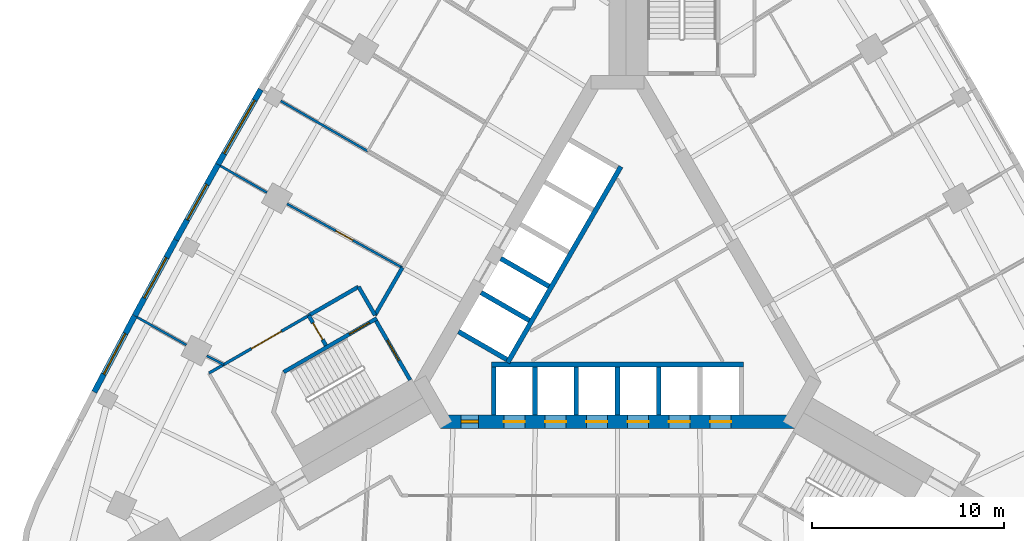
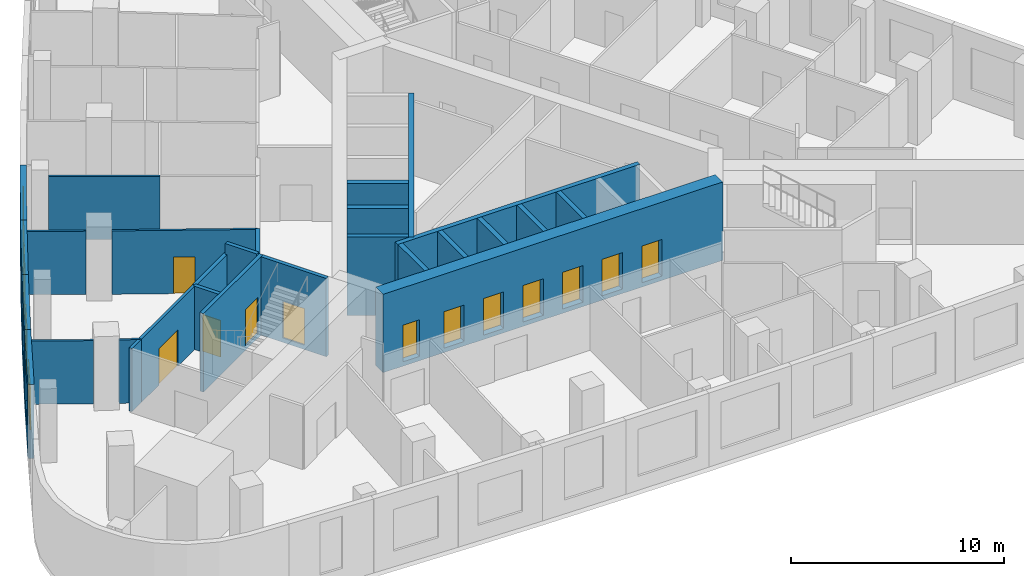
# One storey, part 5 of 11: 28 walls, 12 doors, 4 windows, 16 openings.
"""IFC4 building model written with IfcOpenShell, lengths in metres."""

from ifc_helpers import new_model, si_unit, direction, frame, frame_2d, origin, place, context, subcontext, project, spatial, rectangle, extrude, material, layer, layer_set, type_object, element, fill, save


model = new_model("IFC4")

# Units and contexts
model_context = context("Model", 3, precision=1e-05, world=origin(), true_north=direction((0.0, 1.0)))
body_context = subcontext(model_context, "Body", "Model", "MODEL_VIEW")
ifc_project = project(units=[si_unit("LENGTHUNIT", "METRE"), si_unit("AREAUNIT", "SQUARE_METRE"), si_unit("VOLUMEUNIT", "CUBIC_METRE"), si_unit("PLANEANGLEUNIT", "RADIAN"), si_unit("MASSUNIT", "GRAM", prefix="KILO")], contexts=[model_context])

# Site, building, storey
site_placement = place(None, origin())
site = spatial("IfcSite", under=ifc_project, at=site_placement, CompositionType="ELEMENT")
building_placement = place(site_placement, origin())
building = spatial("IfcBuilding", under=site, at=building_placement, Name="Noor Cloister Tower", CompositionType="ELEMENT")
storey_placement = place(building_placement, frame((0.0, 0.0, 6.0)))
storey = spatial("IfcBuildingStorey", under=building, at=storey_placement, Name="L01", CompositionType="ELEMENT", Elevation=6.0)

# Wall, openings, doors
ifc_material_1 = material(Name="Concrete C80/95", Category="concrete")
ifc_layer_1 = layer(ifc_material_1, 0.699951171875)
ifc_layer_set_1 = layer_set([ifc_layer_1], Name="Core wall 700 C80/95")
wall_type_1 = type_object("IfcWallType", Name="Core wall 700 C80/95", PredefinedType="SHEAR", material=ifc_layer_set_1)
wall_1_placement = place(storey_placement, frame((-9.228759765625, -6.578125, -0.25), z_axis=(0.0, 0.0, 1.0), x_axis=(1.0, 0.0, 0.0)))
wall_1 = element("IfcWall", 1, at=wall_1_placement, inside=storey, type_object=wall_type_1, Name="Core wall L01 1", PredefinedType="SHEAR", context=body_context, shape_type="SweptSolid", body=[
    extrude(rectangle(XDim=18.45751953125, YDim=0.699951171875, at=frame_2d((9.228759765625, 0.0))), origin(), (0.0, 0.0, 1.0), 4.5),
])
opening_1_placement = place(wall_1_placement, frame((3.3037109375, 0.0, 0.25)))
opening_1 = element("IfcOpeningElement", 2, at=opening_1_placement, cuts=wall_1, Name="Opening L01-LR1", PredefinedType="OPENING", context=body_context, shape_type="SweptSolid", body=[
    extrude(rectangle(XDim=1.10009765625, YDim=2.10009765625, at=frame_2d((0.550048828125, 1.050048828125))), frame((0.0, 0.35986328125, 0.0), z_axis=(0.0, -1.0, 0.0), x_axis=(1.0, 0.0, 0.0)), (0.0, 0.0, 1.0), 0.719970703125),
])
opening_2_placement = place(wall_1_placement, frame((5.45361328125, 0.0, 0.25)))
opening_2 = element("IfcOpeningElement", 3, at=opening_2_placement, cuts=wall_1, Name="Opening L01-LR2", PredefinedType="OPENING", context=body_context, shape_type="SweptSolid", body=[
    extrude(rectangle(XDim=1.10009765625, YDim=2.10009765625, at=frame_2d((0.550048828125, 1.050048828125))), frame((0.0, 0.35986328125, 0.0), z_axis=(0.0, -1.0, 0.0), x_axis=(1.0, 0.0, 0.0)), (0.0, 0.0, 1.0), 0.719970703125),
])
opening_3_placement = place(wall_1_placement, frame((7.603759765625, 0.0, 0.25)))
opening_3 = element("IfcOpeningElement", 4, at=opening_3_placement, cuts=wall_1, Name="Opening L01-LR3", PredefinedType="OPENING", context=body_context, shape_type="SweptSolid", body=[
    extrude(rectangle(XDim=1.10009765625, YDim=2.10009765625, at=frame_2d((0.550048828125, 1.050048828125))), frame((0.0, 0.35986328125, 0.0), z_axis=(0.0, -1.0, 0.0), x_axis=(1.0, 0.0, 0.0)), (0.0, 0.0, 1.0), 0.719970703125),
])
opening_4_placement = place(wall_1_placement, frame((9.753662109375, 0.0, 0.25)))
opening_4 = element("IfcOpeningElement", 5, at=opening_4_placement, cuts=wall_1, Name="Opening L01-LR4", PredefinedType="OPENING", context=body_context, shape_type="SweptSolid", body=[
    extrude(rectangle(XDim=1.10009765625, YDim=2.10009765625, at=frame_2d((0.550048828125, 1.050048828125))), frame((0.0, 0.35986328125, 0.0), z_axis=(0.0, -1.0, 0.0), x_axis=(1.0, 0.0, 0.0)), (0.0, 0.0, 1.0), 0.719970703125),
])
opening_5_placement = place(wall_1_placement, frame((11.90380859375, 0.0, 0.25)))
opening_5 = element("IfcOpeningElement", 6, at=opening_5_placement, cuts=wall_1, Name="Opening L01-LR5", PredefinedType="OPENING", context=body_context, shape_type="SweptSolid", body=[
    extrude(rectangle(XDim=1.10009765625, YDim=2.10009765625, at=frame_2d((0.550048828125, 1.050048828125))), frame((0.0, 0.35986328125, 0.0), z_axis=(0.0, -1.0, 0.0), x_axis=(1.0, 0.0, 0.0)), (0.0, 0.0, 1.0), 0.719970703125),
])
opening_6_placement = place(wall_1_placement, frame((14.0537109375, 0.0, 0.25)))
opening_6 = element("IfcOpeningElement", 7, at=opening_6_placement, cuts=wall_1, Name="Opening L01-LR6", PredefinedType="OPENING", context=body_context, shape_type="SweptSolid", body=[
    extrude(rectangle(XDim=1.10009765625, YDim=2.10009765625, at=frame_2d((0.550048828125, 1.050048828125))), frame((0.0, 0.35986328125, 0.0), z_axis=(0.0, -1.0, 0.0), x_axis=(1.0, 0.0, 0.0)), (0.0, 0.0, 1.0), 0.719970703125),
])
opening_7_placement = place(wall_1_placement, frame((1.078857421875, 0.0, 0.25)))
opening_7 = element("IfcOpeningElement", 8, at=opening_7_placement, cuts=wall_1, Name="Opening L01-905", PredefinedType="OPENING", context=body_context, shape_type="SweptSolid", body=[
    extrude(rectangle(XDim=0.89990234375, YDim=2.10009765625, at=frame_2d((0.449951171875, 1.050048828125))), frame((0.0, 0.35986328125, 0.0), z_axis=(0.0, -1.0, 0.0), x_axis=(1.0, 0.0, 0.0)), (0.0, 0.0, 1.0), 0.719970703125),
])
ifc_material_2 = material(Name="Steel", Category="steel")
door_type_1 = type_object("IfcDoorType", Name="Core door 900 x 2100 FD120", OperationType="SINGLE_SWING_LEFT", PredefinedType="DOOR", material=ifc_material_2)
door_1_placement = place(opening_7_placement, origin())
door_1 = element("IfcDoor", 9, at=door_1_placement, inside=storey, type_object=door_type_1, Name="Core door 5 L01", OperationType="SINGLE_SWING_LEFT", OverallHeight=2.10009765625, OverallWidth=0.89990234375, PredefinedType="DOOR", context=body_context, shape_type="SweptSolid", body=[
    extrude(rectangle(XDim=0.89990234375, YDim=2.10009765625, at=frame_2d((0.449951171875, 1.050048828125))), frame((0.0, 0.074951171875, 0.0), z_axis=(0.0, -1.0, 0.0), x_axis=(1.0, 0.0, 0.0)), (0.0, 0.0, 1.0), 0.14990234375),
])
fill(opening_7, door_1)
ifc_material_3 = material(Name="Stainless steel", Category="steel")
door_type_2 = type_object("IfcDoorType", Name="Lift landing door 1100 x 2100", OperationType="DOUBLE_DOOR_SLIDING", PredefinedType="DOOR", material=ifc_material_3)
door_2_placement = place(opening_1_placement, origin())
door_2 = element("IfcDoor", 10, at=door_2_placement, inside=storey, type_object=door_type_2, Name="Landing door LR1 L01", OperationType="DOUBLE_DOOR_SLIDING", OverallHeight=2.10009765625, OverallWidth=1.10009765625, PredefinedType="DOOR", context=body_context, shape_type="SweptSolid", body=[
    extrude(rectangle(XDim=1.10009765625, YDim=2.10009765625, at=frame_2d((0.550048828125, 1.050048828125))), frame((0.0, 0.02490234375, 0.0), z_axis=(0.0, -1.0, 0.0), x_axis=(1.0, 0.0, 0.0)), (0.0, 0.0, 1.0), 0.050048828125),
])
fill(opening_1, door_2)
door_3_placement = place(opening_2_placement, origin())
door_3 = element("IfcDoor", 11, at=door_3_placement, inside=storey, type_object=door_type_2, Name="Landing door LR2 L01", OperationType="DOUBLE_DOOR_SLIDING", OverallHeight=2.10009765625, OverallWidth=1.10009765625, PredefinedType="DOOR", context=body_context, shape_type="SweptSolid", body=[
    extrude(rectangle(XDim=1.10009765625, YDim=2.10009765625, at=frame_2d((0.550048828125, 1.050048828125))), frame((0.0, 0.02490234375, 0.0), z_axis=(0.0, -1.0, 0.0), x_axis=(1.0, 0.0, 0.0)), (0.0, 0.0, 1.0), 0.050048828125),
])
fill(opening_2, door_3)
door_4_placement = place(opening_3_placement, origin())
door_4 = element("IfcDoor", 12, at=door_4_placement, inside=storey, type_object=door_type_2, Name="Landing door LR3 L01", OperationType="DOUBLE_DOOR_SLIDING", OverallHeight=2.10009765625, OverallWidth=1.10009765625, PredefinedType="DOOR", context=body_context, shape_type="SweptSolid", body=[
    extrude(rectangle(XDim=1.10009765625, YDim=2.10009765625, at=frame_2d((0.550048828125, 1.050048828125))), frame((0.0, 0.02490234375, 0.0), z_axis=(0.0, -1.0, 0.0), x_axis=(1.0, 0.0, 0.0)), (0.0, 0.0, 1.0), 0.050048828125),
])
fill(opening_3, door_4)
door_5_placement = place(opening_4_placement, origin())
door_5 = element("IfcDoor", 13, at=door_5_placement, inside=storey, type_object=door_type_2, Name="Landing door LR4 L01", OperationType="DOUBLE_DOOR_SLIDING", OverallHeight=2.10009765625, OverallWidth=1.10009765625, PredefinedType="DOOR", context=body_context, shape_type="SweptSolid", body=[
    extrude(rectangle(XDim=1.10009765625, YDim=2.10009765625, at=frame_2d((0.550048828125, 1.050048828125))), frame((0.0, 0.02490234375, 0.0), z_axis=(0.0, -1.0, 0.0), x_axis=(1.0, 0.0, 0.0)), (0.0, 0.0, 1.0), 0.050048828125),
])
fill(opening_4, door_5)
door_6_placement = place(opening_5_placement, origin())
door_6 = element("IfcDoor", 14, at=door_6_placement, inside=storey, type_object=door_type_2, Name="Landing door LR5 L01", OperationType="DOUBLE_DOOR_SLIDING", OverallHeight=2.10009765625, OverallWidth=1.10009765625, PredefinedType="DOOR", context=body_context, shape_type="SweptSolid", body=[
    extrude(rectangle(XDim=1.10009765625, YDim=2.10009765625, at=frame_2d((0.550048828125, 1.050048828125))), frame((0.0, 0.02490234375, 0.0), z_axis=(0.0, -1.0, 0.0), x_axis=(1.0, 0.0, 0.0)), (0.0, 0.0, 1.0), 0.050048828125),
])
fill(opening_5, door_6)
door_7_placement = place(opening_6_placement, origin())
door_7 = element("IfcDoor", 15, at=door_7_placement, inside=storey, type_object=door_type_2, Name="Landing door LR6 L01", OperationType="DOUBLE_DOOR_SLIDING", OverallHeight=2.10009765625, OverallWidth=1.10009765625, PredefinedType="DOOR", context=body_context, shape_type="SweptSolid", body=[
    extrude(rectangle(XDim=1.10009765625, YDim=2.10009765625, at=frame_2d((0.550048828125, 1.050048828125))), frame((0.0, 0.02490234375, 0.0), z_axis=(0.0, -1.0, 0.0), x_axis=(1.0, 0.0, 0.0)), (0.0, 0.0, 1.0), 0.050048828125),
])
fill(opening_6, door_7)

# Wall
ifc_material_4 = material(Name="Plasterboard on steel studs", Category="steel")
ifc_layer_2 = layer(ifc_material_4, 0.14990234375)
ifc_layer_set_2 = layer_set([ifc_layer_2], Name="Corridor wall 150")
wall_type_2 = type_object("IfcWallType", Name="Corridor wall 150", PredefinedType="PARTITIONING", material=ifc_layer_set_2)
wall_2_placement = place(storey_placement, frame((-21.282958984375, -4.048095703125, 0.0), z_axis=(0.0, 0.0, 1.0), x_axis=(0.865804825377, 0.500381858538, 0.0)))
element("IfcWall", 16, at=wall_2_placement, inside=storey, type_object=wall_type_2, Name="Partition", PredefinedType="PARTITIONING", context=body_context, shape_type="SweptSolid", body=[
    extrude(rectangle(XDim=0.897216796875, YDim=0.14990234375, at=frame_2d((0.44873046875, 0.0))), origin(), (0.0, 0.0, 1.0), 3.637939453125),
])

# Wall, opening, door
wall_3_placement = place(storey_placement, frame((-16.0869140625, -1.049072265625, 0.0), z_axis=(0.0, 0.0, 1.0), x_axis=(-0.866071706002, -0.49991979363, 0.0)))
wall_3 = element("IfcWall", 17, at=wall_3_placement, inside=storey, type_object=wall_type_2, Name="Partition", PredefinedType="PARTITIONING", context=body_context, shape_type="SweptSolid", body=[
    extrude(rectangle(XDim=5.104736328125, YDim=0.14990234375, at=frame_2d((2.55224609375, 0.0))), origin(), (0.0, 0.0, 1.0), 3.637939453125),
])
opening_8_placement = place(wall_3_placement, frame((1.64990234375, 0.0, 0.0)))
opening_8 = element("IfcOpeningElement", 18, at=opening_8_placement, cuts=wall_3, Name="Opening L01-015", PredefinedType="OPENING", context=body_context, shape_type="SweptSolid", body=[
    extrude(rectangle(XDim=1.800048828125, YDim=2.10009765625, at=frame_2d((0.89990234375, 1.050048828125))), frame((0.0, 0.0849609375, 0.0), z_axis=(0.0, -1.0, 0.0), x_axis=(1.0, 0.0, 0.0)), (0.0, 0.0, 1.0), 0.169921875),
])
ifc_material_5 = material(Name="Timber door leaf", Category="wood")
door_type_3 = type_object("IfcDoorType", Name="Double leaf door 1800", OperationType="DOUBLE_DOOR_SINGLE_SWING", PredefinedType="DOOR", material=ifc_material_5)
door_8_placement = place(opening_8_placement, origin())
door_8 = element("IfcDoor", 19, at=door_8_placement, inside=storey, type_object=door_type_3, Name="Door L01-015", OperationType="DOUBLE_DOOR_SINGLE_SWING", OverallHeight=2.10009765625, OverallWidth=1.800048828125, PredefinedType="DOOR", context=body_context, shape_type="SweptSolid", body=[
    extrude(rectangle(XDim=1.800048828125, YDim=2.10009765625, at=frame_2d((0.89990234375, 1.050048828125))), frame((0.0, 0.02490234375, 0.0), z_axis=(0.0, -1.0, 0.0), x_axis=(1.0, 0.0, 0.0)), (0.0, 0.0, 1.0), 0.050048828125),
])
fill(opening_8, door_8)

ifc_material_6 = material(Name="Reinforced blockwork", Category="masonry")
ifc_layer_3 = layer(ifc_material_6, 0.199951171875)
ifc_layer_set_3 = layer_set([ifc_layer_3], Name="Fire rated block wall 200")
wall_type_3 = type_object("IfcWallType", Name="Fire rated block wall 200", PredefinedType="PARTITIONING", material=ifc_layer_set_3)
wall_4_placement = place(storey_placement, frame((-15.18798828125, -2.60693359375, 0.0), z_axis=(0.0, 0.0, 1.0), x_axis=(-0.500024172624, 0.866011447264, 0.0)))
wall_4 = element("IfcWall", 20, at=wall_4_placement, inside=storey, type_object=wall_type_3, Name="Fire rated wall", PredefinedType="PARTITIONING", context=body_context, shape_type="SweptSolid", body=[
    extrude(rectangle(XDim=1.7978515625, YDim=0.199951171875, at=frame_2d((0.89892578125, 0.0))), origin(), (0.0, 0.0, 1.0), 3.637939453125),
])
opening_9_placement = place(wall_4_placement, frame((0.35009765625, 0.0, 0.0)))
opening_9 = element("IfcOpeningElement", 21, at=opening_9_placement, cuts=wall_4, Name="Opening L01-032", PredefinedType="OPENING", context=body_context, shape_type="SweptSolid", body=[
    extrude(rectangle(XDim=1.0, YDim=2.10009765625, at=frame_2d((0.5, 1.050048828125))), frame((0.0, 0.10986328125, 0.0), z_axis=(0.0, -1.0, 0.0), x_axis=(1.0, 0.0, 0.0)), (0.0, 0.0, 1.0), 0.219970703125),
])
ifc_material_7 = material(Name="Steel fire door", Category="steel")
door_type_4 = type_object("IfcDoorType", Name="Fire door FD60 1000", OperationType="SINGLE_SWING_LEFT", PredefinedType="DOOR", material=ifc_material_7)
door_9_placement = place(opening_9_placement, origin())
door_9 = element("IfcDoor", 22, at=door_9_placement, inside=storey, type_object=door_type_4, Name="Door L01-032", OperationType="SINGLE_SWING_LEFT", OverallHeight=2.10009765625, OverallWidth=1.0, PredefinedType="DOOR", context=body_context, shape_type="SweptSolid", body=[
    extrude(rectangle(XDim=1.0, YDim=2.10009765625, at=frame_2d((0.5, 1.050048828125))), frame((0.0, 0.02490234375, 0.0), z_axis=(0.0, -1.0, 0.0), x_axis=(1.0, 0.0, 0.0)), (0.0, 0.0, 1.0), 0.050048828125),
])
fill(opening_9, door_9)

# Walls
wall_5_placement = place(storey_placement, frame((-16.0869140625, -1.048095703125, 0.0), z_axis=(0.0, 0.0, 1.0), x_axis=(0.865988915629, 0.500063194015, 0.0)))
element("IfcWall", 23, at=wall_5_placement, inside=storey, type_object=wall_type_3, Name="Fire rated wall", PredefinedType="PARTITIONING", context=body_context, shape_type="SweptSolid", body=[
    extrude(rectangle(XDim=2.99755859375, YDim=0.199951171875, at=frame_2d((1.498779296875, 0.0))), origin(), (0.0, 0.0, 1.0), 3.637939453125),
])
wall_6_placement = place(storey_placement, frame((-13.489013671875, 0.450927734375, 0.0), z_axis=(0.0, 0.0, 1.0), x_axis=(0.500044178772, -0.865999895656, 0.0)))
element("IfcWall", 24, at=wall_6_placement, inside=storey, type_object=wall_type_3, Name="Fire rated wall", PredefinedType="PARTITIONING", context=body_context, shape_type="SweptSolid", body=[
    extrude(rectangle(XDim=1.707763671875, YDim=0.199951171875, at=frame_2d((0.85400390625, 0.0))), origin(), (0.0, 0.0, 1.0), 4.25),
])
wall_7_placement = place(storey_placement, frame((-12.635009765625, -1.028076171875, 0.0), z_axis=(0.0, 0.0, 1.0), x_axis=(0.50005725472, 0.865992345233, 0.0)))
element("IfcWall", 25, at=wall_7_placement, inside=storey, type_object=wall_type_3, Name="Fire rated wall", PredefinedType="PARTITIONING", context=body_context, shape_type="SweptSolid", body=[
    extrude(rectangle(XDim=2.861572265625, YDim=0.199951171875, at=frame_2d((1.4306640625, 0.0))), origin(), (0.0, 0.0, 1.0), 3.637939453125),
])

# Wall, opening, window
ifc_material_8 = material(Name="Limestone", Category="masonry")
ifc_layer_4 = layer(ifc_material_8, 0.300048828125)
ifc_layer_set_4 = layer_set([ifc_layer_4], Name="Limestone panel wall 300")
wall_type_4 = type_object("IfcWallType", Name="Limestone panel wall 300", PredefinedType="NOTDEFINED", material=ifc_layer_set_4)
wall_8_placement = place(storey_placement, frame((-20.81103515625, 6.822509765625, 0.0), z_axis=(0.0, 0.0, 1.0), x_axis=(0.495524760411, 0.868593812907, 0.0)))
wall_8 = element("IfcWall", 26, at=wall_8_placement, inside=storey, type_object=wall_type_4, Name="Limestone wall L01 NW 6", PredefinedType="NOTDEFINED", context=body_context, shape_type="SweptSolid", body=[
    extrude(rectangle(XDim=4.495849609375, YDim=0.300048828125, at=frame_2d((2.248046875, 0.0))), origin(), (0.0, 0.0, 1.0), 4.25),
])
opening_10_placement = place(wall_8_placement, frame((0.64794921875, 0.0, 0.800048828125)))
opening_10 = element("IfcOpeningElement", 27, at=opening_10_placement, cuts=wall_8, Name="Opening L01-W06", PredefinedType="OPENING", context=body_context, shape_type="SweptSolid", body=[
    extrude(rectangle(XDim=3.199951171875, YDim=2.699951171875, at=frame_2d((1.60009765625, 1.35009765625))), frame((0.0, 0.16015625, 0.0), z_axis=(0.0, -1.0, 0.0), x_axis=(1.0, 0.0, 0.0)), (0.0, 0.0, 1.0), 0.320068359375),
])
ifc_material_9 = material(Name="Aluminium 6063-T6 anodised", Category="aluminium")
window_type_1 = type_object("IfcWindowType", Name="Waiting room window 3200 x 2700", PartitioningType="TRIPLE_PANEL_VERTICAL", PredefinedType="WINDOW", material=ifc_material_9)
window_1_placement = place(opening_10_placement, origin())
window_1 = element("IfcWindow", 28, at=window_1_placement, inside=storey, type_object=window_type_1, Name="Window L01 6", OverallHeight=2.699951171875, OverallWidth=3.199951171875, PartitioningType="TRIPLE_PANEL_VERTICAL", PredefinedType="WINDOW", context=body_context, shape_type="SweptSolid", body=[
    extrude(rectangle(XDim=3.199951171875, YDim=2.699951171875, at=frame_2d((1.60009765625, 1.35009765625))), frame((0.0, 0.030029296875, 0.0), z_axis=(0.0, -1.0, 0.0), x_axis=(1.0, 0.0, 0.0)), (0.0, 0.0, 1.0), 0.06005859375),
])
fill(opening_10, window_1)

wall_9_placement = place(storey_placement, frame((-23.0, 2.892578125, 0.0), z_axis=(0.0, 0.0, 1.0), x_axis=(0.486606252415, 0.873621402617, 0.0)))
wall_9 = element("IfcWall", 29, at=wall_9_placement, inside=storey, type_object=wall_type_4, Name="Limestone wall L01 NW 7", PredefinedType="NOTDEFINED", context=body_context, shape_type="SweptSolid", body=[
    extrude(rectangle(XDim=4.495849609375, YDim=0.300048828125, at=frame_2d((2.248046875, 0.0))), origin(), (0.0, 0.0, 1.0), 4.25),
])
opening_11_placement = place(wall_9_placement, frame((1.197998046875, 0.0, 0.800048828125)))
opening_11 = element("IfcOpeningElement", 30, at=opening_11_placement, cuts=wall_9, Name="Opening L01-W07", PredefinedType="OPENING", context=body_context, shape_type="SweptSolid", body=[
    extrude(rectangle(XDim=2.10009765625, YDim=3.0, at=frame_2d((1.050048828125, 1.5))), frame((0.0, 0.16015625, 0.0), z_axis=(0.0, -1.0, 0.0), x_axis=(1.0, 0.0, 0.0)), (0.0, 0.0, 1.0), 0.320068359375),
])
ifc_material_10 = material(Name="Aluminium 6063-T6 anodised", Category="aluminium")
window_type_2 = type_object("IfcWindowType", Name="Therapy window 2100 x 3000", PartitioningType="DOUBLE_PANEL_HORIZONTAL", PredefinedType="WINDOW", material=ifc_material_10)
window_2_placement = place(opening_11_placement, origin())
window_2 = element("IfcWindow", 31, at=window_2_placement, inside=storey, type_object=window_type_2, Name="Window L01 7", OverallHeight=3.0, OverallWidth=2.10009765625, PartitioningType="DOUBLE_PANEL_HORIZONTAL", PredefinedType="WINDOW", context=body_context, shape_type="SweptSolid", body=[
    extrude(rectangle(XDim=2.10009765625, YDim=3.0, at=frame_2d((1.050048828125, 1.5))), frame((0.0, 0.030029296875, 0.0), z_axis=(0.0, -1.0, 0.0), x_axis=(1.0, 0.0, 0.0)), (0.0, 0.0, 1.0), 0.06005859375),
])
fill(opening_11, window_2)

wall_10_placement = place(storey_placement, frame((-25.1484375, -1.059814453125, 0.0), z_axis=(0.0, 0.0, 1.0), x_axis=(0.477577109439, 0.878589838628, 0.0)))
wall_10 = element("IfcWall", 32, at=wall_10_placement, inside=storey, type_object=wall_type_4, Name="Limestone wall L01 NW 8", PredefinedType="NOTDEFINED", context=body_context, shape_type="SweptSolid", body=[
    extrude(rectangle(XDim=4.49609375, YDim=0.300048828125, at=frame_2d((2.248046875, 0.0))), origin(), (0.0, 0.0, 1.0), 4.25),
])
opening_12_placement = place(wall_10_placement, frame((1.048095703125, 0.0, 0.89990234375)))
opening_12 = element("IfcOpeningElement", 33, at=opening_12_placement, cuts=wall_10, Name="Opening L01-W08", PredefinedType="OPENING", context=body_context, shape_type="SweptSolid", body=[
    extrude(rectangle(XDim=2.39990234375, YDim=2.39990234375, at=frame_2d((1.199951171875, 1.199951171875))), frame((0.0, 0.16015625, 0.0), z_axis=(0.0, -1.0, 0.0), x_axis=(1.0, 0.0, 0.0)), (0.0, 0.0, 1.0), 0.320068359375),
])
ifc_material_11 = material(Name="Aluminium 6063-T6 anodised", Category="aluminium")
window_type_3 = type_object("IfcWindowType", Name="Clinic window 2400 x 2400", PartitioningType="DOUBLE_PANEL_VERTICAL", PredefinedType="WINDOW", material=ifc_material_11)
window_3_placement = place(opening_12_placement, origin())
window_3 = element("IfcWindow", 34, at=window_3_placement, inside=storey, type_object=window_type_3, Name="Window L01 8", OverallHeight=2.39990234375, OverallWidth=2.39990234375, PartitioningType="DOUBLE_PANEL_VERTICAL", PredefinedType="WINDOW", context=body_context, shape_type="SweptSolid", body=[
    extrude(rectangle(XDim=2.39990234375, YDim=2.39990234375, at=frame_2d((1.199951171875, 1.199951171875))), frame((0.0, 0.030029296875, 0.0), z_axis=(0.0, -1.0, 0.0), x_axis=(1.0, 0.0, 0.0)), (0.0, 0.0, 1.0), 0.06005859375),
])
fill(opening_12, window_3)

wall_11_placement = place(storey_placement, frame((-27.25634765625, -5.03369140625, 0.0), z_axis=(0.0, 0.0, 1.0), x_axis=(0.468566202388, 0.883428386447, 0.0)))
wall_11 = element("IfcWall", 35, at=wall_11_placement, inside=storey, type_object=wall_type_4, Name="Limestone wall L01 NW 9", PredefinedType="NOTDEFINED", context=body_context, shape_type="SweptSolid", body=[
    extrude(rectangle(XDim=4.49609375, YDim=0.300048828125, at=frame_2d((2.248046875, 0.0))), origin(), (0.0, 0.0, 1.0), 4.25),
])
opening_13_placement = place(wall_11_placement, frame((1.048095703125, 0.0, 0.89990234375)))
opening_13 = element("IfcOpeningElement", 36, at=opening_13_placement, cuts=wall_11, Name="Opening L01-W09", PredefinedType="OPENING", context=body_context, shape_type="SweptSolid", body=[
    extrude(rectangle(XDim=2.39990234375, YDim=2.39990234375, at=frame_2d((1.199951171875, 1.199951171875))), frame((0.0, 0.16015625, 0.0), z_axis=(0.0, -1.0, 0.0), x_axis=(1.0, 0.0, 0.0)), (0.0, 0.0, 1.0), 0.320068359375),
])
window_4_placement = place(opening_13_placement, origin())
window_4 = element("IfcWindow", 37, at=window_4_placement, inside=storey, type_object=window_type_3, Name="Window L01 9", OverallHeight=2.39990234375, OverallWidth=2.39990234375, PartitioningType="DOUBLE_PANEL_VERTICAL", PredefinedType="WINDOW", context=body_context, shape_type="SweptSolid", body=[
    extrude(rectangle(XDim=2.39990234375, YDim=2.39990234375, at=frame_2d((1.199951171875, 1.199951171875))), frame((0.0, 0.030029296875, 0.0), z_axis=(0.0, -1.0, 0.0), x_axis=(1.0, 0.0, 0.0)), (0.0, 0.0, 1.0), 0.06005859375),
])
fill(opening_13, window_4)

# Walls
ifc_material_12 = material(Name="Plasterboard on steel studs", Category="steel")
ifc_layer_5 = layer(ifc_material_12, 0.1201171875)
ifc_layer_set_5 = layer_set([ifc_layer_5], Name="Partition wall 120")
wall_type_5 = type_object("IfcWallType", Name="Partition wall 120", PredefinedType="PARTITIONING", material=ifc_layer_set_5)
wall_12_placement = place(storey_placement, frame((-22.4609375, -2.583984375, 0.0), z_axis=(0.0, 0.0, 1.0), x_axis=(-0.870620069476, 0.491955988505, 0.0)))
element("IfcWall", 38, at=wall_12_placement, inside=storey, type_object=wall_type_5, Name="Partition", PredefinedType="PARTITIONING", context=body_context, shape_type="SweptSolid", body=[
    extrude(rectangle(XDim=2.939453125, YDim=0.1201171875, at=frame_2d((1.4697265625, 0.0))), origin(), (0.0, 0.0, 1.0), 3.633056640625),
])
wall_13_placement = place(storey_placement, frame((-20.509033203125, -3.60107421875, 0.0), z_axis=(0.0, 0.0, 1.0), x_axis=(-0.892316605155, 0.451410097544, 0.0)))
element("IfcWall", 39, at=wall_13_placement, inside=storey, type_object=wall_type_5, Name="Partition", PredefinedType="PARTITIONING", context=body_context, shape_type="SweptSolid", body=[
    extrude(rectangle(XDim=0.99951171875, YDim=0.1201171875, at=frame_2d((0.499755859375, 0.0))), origin(), (0.0, 0.0, 1.0), 3.637939453125),
])
wall_14_placement = place(storey_placement, frame((-18.260009765625, 5.35595703125, 0.0), z_axis=(0.0, 0.0, 1.0), x_axis=(-0.867283853893, 0.49781393791, 0.0)))
element("IfcWall", 40, at=wall_14_placement, inside=storey, type_object=wall_type_5, Name="Partition", PredefinedType="PARTITIONING", context=body_context, shape_type="SweptSolid", body=[
    extrude(rectangle(XDim=2.79248046875, YDim=0.1201171875, at=frame_2d((1.396240234375, 0.0))), origin(), (0.0, 0.0, 1.0), 3.633056640625),
])

# Wall, opening, door
wall_15_placement = place(storey_placement, frame((-11.2080078125, 1.446044921875, 0.0), z_axis=(0.0, 0.0, 1.0), x_axis=(-0.875125393946, 0.483896212912, 0.0)))
wall_15 = element("IfcWall", 41, at=wall_15_placement, inside=storey, type_object=wall_type_5, Name="Partition", PredefinedType="PARTITIONING", context=body_context, shape_type="SweptSolid", body=[
    extrude(rectangle(XDim=6.863037109375, YDim=0.1201171875, at=frame_2d((3.431640625, 0.0))), origin(), (0.0, 0.0, 1.0), 3.637939453125),
])
opening_14_placement = place(wall_15_placement, frame((2.949951171875, 0.0, 0.0)))
opening_14 = element("IfcOpeningElement", 42, at=opening_14_placement, cuts=wall_15, Name="Opening L01-017", PredefinedType="OPENING", context=body_context, shape_type="SweptSolid", body=[
    extrude(rectangle(XDim=1.0, YDim=2.10009765625, at=frame_2d((0.5, 1.050048828125))), frame((0.0, 0.070068359375, 0.0), z_axis=(0.0, -1.0, 0.0), x_axis=(1.0, 0.0, 0.0)), (0.0, 0.0, 1.0), 0.14013671875),
])
ifc_material_13 = material(Name="Timber door leaf", Category="wood")
door_type_5 = type_object("IfcDoorType", Name="WC block door 1000", OperationType="SINGLE_SWING_LEFT", PredefinedType="DOOR", material=ifc_material_13)
door_10_placement = place(opening_14_placement, origin())
door_10 = element("IfcDoor", 43, at=door_10_placement, inside=storey, type_object=door_type_5, Name="Door L01-017", OperationType="SINGLE_SWING_LEFT", OverallHeight=2.10009765625, OverallWidth=1.0, PredefinedType="DOOR", context=body_context, shape_type="SweptSolid", body=[
    extrude(rectangle(XDim=1.0, YDim=2.10009765625, at=frame_2d((0.5, 1.050048828125))), frame((0.0, 0.02490234375, 0.0), z_axis=(0.0, -1.0, 0.0), x_axis=(1.0, 0.0, 0.0)), (0.0, 0.0, 1.0), 0.050048828125),
])
fill(opening_14, door_10)

# Walls
wall_16_placement = place(storey_placement, frame((-13.01708984375, 7.514892578125, 0.0), z_axis=(0.0, 0.0, 1.0), x_axis=(-0.866023771128, 0.500002827834, 0.0)))
element("IfcWall", 44, at=wall_16_placement, inside=storey, type_object=wall_type_5, Name="Partition", PredefinedType="PARTITIONING", context=body_context, shape_type="SweptSolid", body=[
    extrude(rectangle(XDim=5.22607421875, YDim=0.1201171875, at=frame_2d((2.613037109375, 0.0))), origin(), (0.0, 0.0, 1.0), 3.637939453125),
])
ifc_material_14 = material(Name="Concrete C80/95", Category="concrete")
ifc_layer_6 = layer(ifc_material_14, 0.25)
ifc_layer_set_6 = layer_set([ifc_layer_6], Name="Shaft wall 250 C80/95")
wall_type_6 = type_object("IfcWallType", Name="Shaft wall 250 C80/95", PredefinedType="PARTITIONING", material=ifc_layer_set_6)
for number, where, z_axis, x_axis, name in (
    (45, (-6.449951171875, -6.228271484375, -0.25), (0.0, 0.0, 1.0), (0.0, 1.0, 0.0), "Lift shaft wall L01 S 1"),
    (46, (-4.300048828125, -6.228271484375, -0.25), (0.0, 0.0, 1.0), (0.0, 1.0, 0.0), "Lift shaft wall L01 S 2"),
    (47, (-2.14990234375, -6.228271484375, -0.25), (0.0, 0.0, 1.0), (0.0, 1.0, 0.0), "Lift shaft wall L01 S 3"),
    (48, (0.0, -6.228271484375, -0.25), (0.0, 0.0, 1.0), (0.0, 1.0, 0.0), "Lift shaft wall L01 S 4"),
    (49, (2.14990234375, -6.228271484375, -0.25), (0.0, 0.0, 1.0), (0.0, 1.0, 0.0), "Lift shaft wall L01 S 5"),
):
    element("IfcWall", number, at=place(storey_placement, frame(where, z_axis=z_axis, x_axis=x_axis)), inside=storey, type_object=wall_type_6, Name=name, PredefinedType="PARTITIONING", context=body_context, shape_type="SweptSolid", body=[
        extrude(rectangle(XDim=2.5, YDim=0.25, at=frame_2d((1.25, 0.0))), origin(), (0.0, 0.0, 1.0), 4.5),
    ])
wall_17_placement = place(storey_placement, frame((-6.574951171875, -3.603271484375, 0.0), z_axis=(0.0, 0.0, 1.0), x_axis=(1.0, 0.0, 0.0)))
element("IfcWall", 50, at=wall_17_placement, inside=storey, type_object=wall_type_6, Name="Lift shaft back wall L01 S", PredefinedType="PARTITIONING", context=body_context, shape_type="SweptSolid", body=[
    extrude(rectangle(XDim=13.14990234375, YDim=0.25, at=frame_2d((6.574951171875, 0.0))), origin(), (0.0, 0.0, 1.0), 4.25),
])
for number, where, z_axis, x_axis, name in (
    (51, (-6.081298828125, 1.92333984375, -0.25), (0.0, 0.0, 1.0), (0.866032775405, -0.499987231761, 0.0), "Lift shaft wall L01 NW 4"),
    (52, (-7.106201171875, 0.14794921875, -0.25), (0.0, 0.0, 1.0), (0.866032775405, -0.499987231761, 0.0), "Lift shaft wall L01 NW 5"),
    (53, (-8.28125, -1.88720703125, -0.25), (0.0, 0.0, 1.0), (0.866032775405, -0.499987231761, 0.0), "Lift shaft wall L01 NW 6"),
):
    element("IfcWall", number, at=place(storey_placement, frame(where, z_axis=z_axis, x_axis=x_axis)), inside=storey, type_object=wall_type_6, Name=name, PredefinedType="PARTITIONING", context=body_context, shape_type="SweptSolid", body=[
        extrude(rectangle(XDim=2.89990234375, YDim=0.25, at=frame_2d((1.449951171875, 0.0))), origin(), (0.0, 0.0, 1.0), 4.5),
    ])
wall_18_placement = place(storey_placement, frame((0.176025390625, 6.711181640625, 0.0), z_axis=(0.0, 0.0, 1.0), x_axis=(-0.500004227369, -0.866022963098, 0.0)))
element("IfcWall", 54, at=wall_18_placement, inside=storey, type_object=wall_type_6, Name="Lift shaft back wall L01 NW", PredefinedType="PARTITIONING", context=body_context, shape_type="SweptSolid", body=[
    extrude(rectangle(XDim=11.80029296875, YDim=0.25, at=frame_2d((5.900146484375, 0.0))), origin(), (0.0, 0.0, 1.0), 4.25),
])

# Wall, opening, door
ifc_material_15 = material(Name="Concrete C80/95", Category="concrete")
ifc_layer_7 = layer(ifc_material_15, 0.199951171875)
ifc_layer_set_7 = layer_set([ifc_layer_7], Name="Stair enclosure wall 200 C80/95")
wall_type_7 = type_object("IfcWallType", Name="Stair enclosure wall 200 C80/95", PredefinedType="SHEAR", material=ifc_layer_set_7)
wall_19_placement = place(storey_placement, frame((-12.575927734375, -1.33056640625, -0.25), z_axis=(0.0, 0.0, 1.0), x_axis=(0.499970499736, -0.8660424351, 0.0)))
wall_19 = element("IfcWall", 55, at=wall_19_placement, inside=storey, type_object=wall_type_7, Name="Stair enclosure wall ST2 L01 near end", PredefinedType="SHEAR", context=body_context, shape_type="SweptSolid", body=[
    extrude(rectangle(XDim=3.550048828125, YDim=0.199951171875, at=frame_2d((1.77490234375, 0.0))), origin(), (0.0, 0.0, 1.0), 4.5),
])
opening_15_placement = place(wall_19_placement, frame((1.175048828125, 0.0, 0.25)))
opening_15 = element("IfcOpeningElement", 56, at=opening_15_placement, cuts=wall_19, Name="Opening L01-ST2L", PredefinedType="OPENING", context=body_context, shape_type="SweptSolid", body=[
    extrude(rectangle(XDim=1.199951171875, YDim=2.10009765625, at=frame_2d((0.60009765625, 1.050048828125))), frame((0.0, 0.10986328125, 0.0), z_axis=(0.0, -1.0, 0.0), x_axis=(1.0, 0.0, 0.0)), (0.0, 0.0, 1.0), 0.219970703125),
])
ifc_material_16 = material(Name="Steel", Category="steel")
door_type_6 = type_object("IfcDoorType", Name="Stair door 1200 x 2100 FD120", OperationType="SINGLE_SWING_LEFT", PredefinedType="DOOR", material=ifc_material_16)
door_11_placement = place(opening_15_placement, origin())
door_11 = element("IfcDoor", 57, at=door_11_placement, inside=storey, type_object=door_type_6, Name="Stair door ST2 L01", OperationType="SINGLE_SWING_RIGHT", OverallHeight=2.10009765625, OverallWidth=1.199951171875, PredefinedType="DOOR", context=body_context, shape_type="SweptSolid", body=[
    extrude(rectangle(XDim=1.199951171875, YDim=2.10009765625, at=frame_2d((0.60009765625, 1.050048828125))), frame((0.0, 0.02490234375, 0.0), z_axis=(0.0, -1.0, 0.0), x_axis=(1.0, 0.0, 0.0)), (0.0, 0.0, 1.0), 0.050048828125),
])
fill(opening_15, door_11)

wall_20_placement = place(storey_placement, frame((-12.539306640625, -1.194091796875, -0.25), z_axis=(0.0, 0.0, 1.0), x_axis=(-0.866045472092, -0.499965239061, 0.0)))
wall_20 = element("IfcWall", 58, at=wall_20_placement, inside=storey, type_object=wall_type_7, Name="Stair enclosure wall ST2 L01 outer side", PredefinedType="SHEAR", context=body_context, shape_type="SweptSolid", body=[
    extrude(rectangle(XDim=5.60009765625, YDim=0.199951171875, at=frame_2d((2.800048828125, 0.0))), origin(), (0.0, 0.0, 1.0), 4.5),
])
opening_16_placement = place(wall_20_placement, frame((0.449951171875, 0.0, 0.25)))
opening_16 = element("IfcOpeningElement", 59, at=opening_16_placement, cuts=wall_20, Name="Opening L01-ST2C", PredefinedType="OPENING", context=body_context, shape_type="SweptSolid", body=[
    extrude(rectangle(XDim=1.199951171875, YDim=2.10009765625, at=frame_2d((0.60009765625, 1.050048828125))), frame((0.0, 0.10986328125, 0.0), z_axis=(0.0, -1.0, 0.0), x_axis=(1.0, 0.0, 0.0)), (0.0, 0.0, 1.0), 0.219970703125),
])
door_12_placement = place(opening_16_placement, origin())
door_12 = element("IfcDoor", 60, at=door_12_placement, inside=storey, type_object=door_type_6, Name="Stair door ST2 L01", OperationType="SINGLE_SWING_LEFT", OverallHeight=2.10009765625, OverallWidth=1.199951171875, PredefinedType="DOOR", context=body_context, shape_type="SweptSolid", body=[
    extrude(rectangle(XDim=1.199951171875, YDim=2.10009765625, at=frame_2d((0.60009765625, 1.050048828125))), frame((0.0, 0.02490234375, 0.0), z_axis=(0.0, -1.0, 0.0), x_axis=(1.0, 0.0, 0.0)), (0.0, 0.0, 1.0), 0.050048828125),
])
fill(opening_16, door_12)

save(model, "model.ifc")
